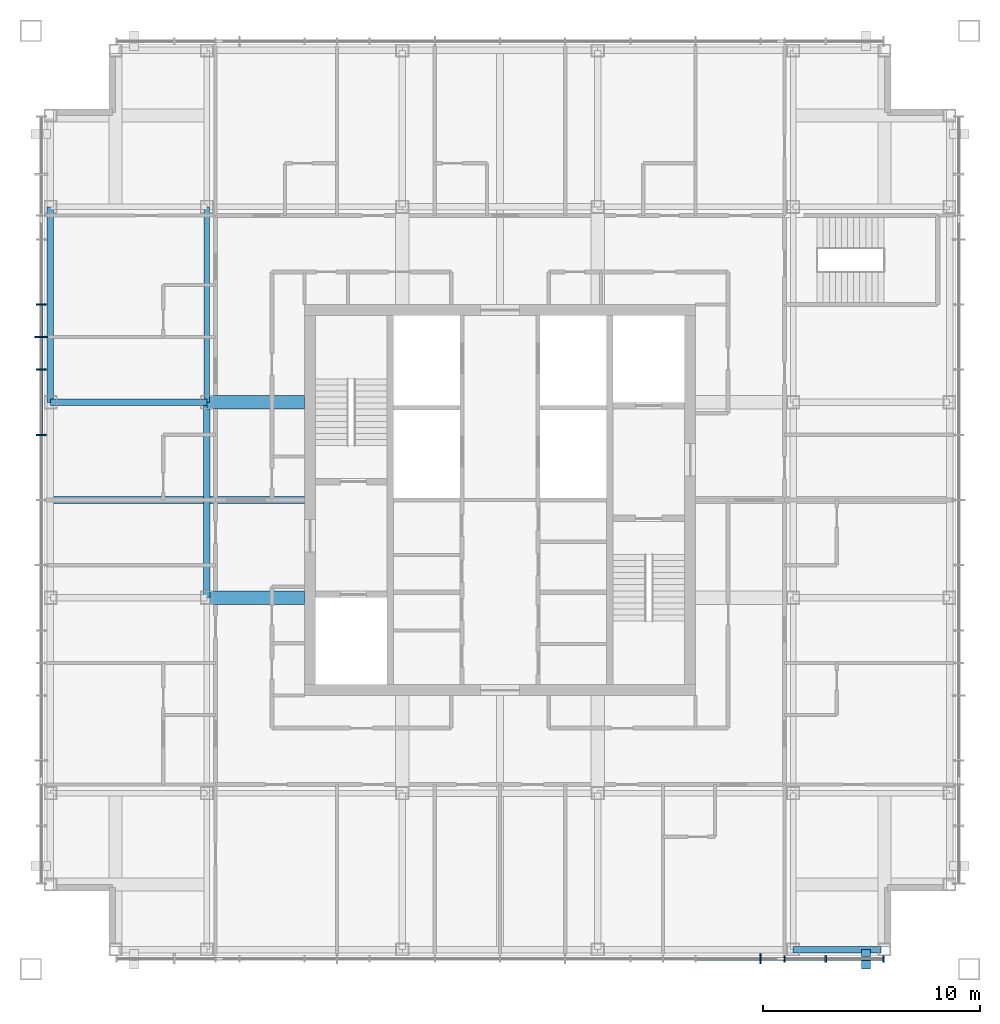
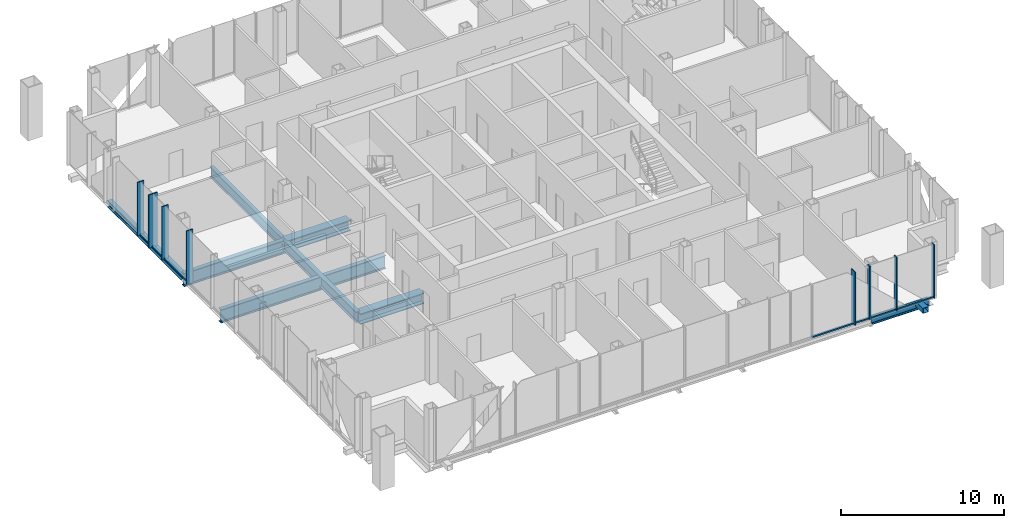
# One storey, part 3 of 16: 16 members, 8 beams, 2 elements without a shape of their own.
"""IFC4 building model written with IfcOpenShell, lengths in metres."""

from ifc_helpers import new_model, si_unit, direction, frame, origin, origin_2d, place, context, subcontext, project, spatial, rectangle, hollow_rectangle, i_section, extrude, material, layer, layer_set, material_profile, profile_set, type_object, element, aggregate, save


model = new_model("IFC4")

# Units and contexts
model_context = context("Model", 3, precision=1e-05, world=origin(), true_north=direction((0.0, 1.0)))
body_context = subcontext(model_context, "Body", "Model", "MODEL_VIEW")
ifc_project = project(units=[si_unit("LENGTHUNIT", "METRE"), si_unit("AREAUNIT", "SQUARE_METRE"), si_unit("VOLUMEUNIT", "CUBIC_METRE"), si_unit("PLANEANGLEUNIT", "RADIAN"), si_unit("MASSUNIT", "GRAM", prefix="KILO")], contexts=[model_context])

# Site, building, storey
site_placement = place(None, origin())
site = spatial("IfcSite", under=ifc_project, at=site_placement, CompositionType="ELEMENT")
building_placement = place(site_placement, origin())
building = spatial("IfcBuilding", under=site, at=building_placement, Name="Malebo Sky Hospital", CompositionType="ELEMENT")
storey_placement = place(building_placement, frame((0.0, 0.0, 254.0)))
storey = spatial("IfcBuildingStorey", under=building, at=storey_placement, Name="L61", CompositionType="ELEMENT", Elevation=254.0)

# Curtain wall, members
ifc_material_1 = material(Name="Anodised aluminium, natural silver", Category="aluminium")
ifc_layer_1 = layer(ifc_material_1, 0.25)
ifc_layer_set_1 = layer_set([ifc_layer_1], Name="WARD CURTAIN WALL EAST AND WEST")
curtain_wall_type_1 = type_object("IfcCurtainWallType", Name="WARD CURTAIN WALL EAST AND WEST", PredefinedType="NOTDEFINED", material=ifc_layer_set_1)
curtain_wall_1_placement = place(storey_placement, origin())
curtain_wall_1 = element("IfcCurtainWall", 1, at=curtain_wall_1_placement, inside=storey, type_object=curtain_wall_type_1, Name="EW curtain wall W", PredefinedType="NOTDEFINED")
ifc_material_profile_1 = material_profile(ifc_material_1, rectangle(XDim=0.14990234375, YDim=0.10009765625, at=origin_2d()), Name="ALUMINIUM TRANSOM 150x100")
ifc_profile_set_1 = profile_set([ifc_material_profile_1], Name="Anodised aluminium, natural silver")
member_type_1 = type_object("IfcMemberType", Name="ALUMINIUM TRANSOM 150x100", PredefinedType="USERDEFINED", material=ifc_profile_set_1)
member_1_placement = place(storey_placement, frame((38.875, 65.03759765625, 0.050048828125), z_axis=(0.0, 1.0, 0.0), x_axis=(-1.0, 0.0, 0.0)))
member_1 = element("IfcMember", 2, at=member_1_placement, type_object=member_type_1, Name="Transom 10", ObjectType="TRANSOM", PredefinedType="USERDEFINED", context=body_context, shape_type="SweptSolid", body=[
    extrude(rectangle(XDim=0.14990234375, YDim=0.10009765625, at=origin_2d()), origin(), (0.0, 0.0, 1.0), 2.9248046875),
])
member_2_placement = place(storey_placement, frame((38.875, 68.03759765625, 0.050048828125), z_axis=(0.0, 1.0, 0.0), x_axis=(-1.0, 0.0, 0.0)))
member_2 = element("IfcMember", 3, at=member_2_placement, type_object=member_type_1, Name="Transom 11", ObjectType="TRANSOM", PredefinedType="USERDEFINED", context=body_context, shape_type="SweptSolid", body=[
    extrude(rectangle(XDim=0.14990234375, YDim=0.10009765625, at=origin_2d()), origin(), (0.0, 0.0, 1.0), 1.4248046875),
])
member_3_placement = place(storey_placement, frame((38.875, 69.53759765625, 0.050048828125), z_axis=(0.0, 1.0, 0.0), x_axis=(-1.0, 0.0, 0.0)))
member_3 = element("IfcMember", 4, at=member_3_placement, type_object=member_type_1, Name="Transom 12", ObjectType="TRANSOM", PredefinedType="USERDEFINED", context=body_context, shape_type="SweptSolid", body=[
    extrude(rectangle(XDim=0.14990234375, YDim=0.10009765625, at=origin_2d()), origin(), (0.0, 0.0, 1.0), 1.4248046875),
])

ifc_layer_2 = layer(ifc_material_1, 0.25)
ifc_layer_set_2 = layer_set([ifc_layer_2], Name="WARD CURTAIN WALL NORTH AND SOUTH")
curtain_wall_type_2 = type_object("IfcCurtainWallType", Name="WARD CURTAIN WALL NORTH AND SOUTH", PredefinedType="NOTDEFINED", material=ifc_layer_set_2)
curtain_wall_2_placement = place(storey_placement, origin())
curtain_wall_2 = element("IfcCurtainWall", 5, at=curtain_wall_2_placement, inside=storey, type_object=curtain_wall_type_2, Name="NS curtain wall S", PredefinedType="NOTDEFINED")
member_4_placement = place(storey_placement, frame((77.625, 40.875, 0.050048828125), z_axis=(-1.0, 0.0, 0.0), x_axis=(0.0, -1.0, 0.0)))
member_4 = element("IfcMember", 6, at=member_4_placement, type_object=member_type_1, Name="Transom 1", ObjectType="TRANSOM", PredefinedType="USERDEFINED", context=body_context, shape_type="SweptSolid", body=[
    extrude(rectangle(XDim=0.14990234375, YDim=0.10009765625, at=origin_2d()), origin(), (0.0, 0.0, 1.0), 2.58740234375),
])
member_5_placement = place(storey_placement, frame((74.96240234375, 40.875, 0.050048828125), z_axis=(-1.0, 0.0, 0.0), x_axis=(0.0, -1.0, 0.0)))
member_5 = element("IfcMember", 7, at=member_5_placement, type_object=member_type_1, Name="Transom 2", ObjectType="TRANSOM", PredefinedType="USERDEFINED", context=body_context, shape_type="SweptSolid", body=[
    extrude(rectangle(XDim=0.14990234375, YDim=0.10009765625, at=origin_2d()), origin(), (0.0, 0.0, 1.0), 1.824951171875),
])
member_6_placement = place(storey_placement, frame((73.0625, 40.875, 0.050048828125), z_axis=(-1.0, 0.0, 0.0), x_axis=(0.0, -1.0, 0.0)))
member_6 = element("IfcMember", 8, at=member_6_placement, type_object=member_type_1, Name="Transom 3", ObjectType="TRANSOM", PredefinedType="USERDEFINED", context=body_context, shape_type="SweptSolid", body=[
    extrude(rectangle(XDim=0.14990234375, YDim=0.10009765625, at=origin_2d()), origin(), (0.0, 0.0, 1.0), 1.02490234375),
])
member_7_placement = place(storey_placement, frame((71.96240234375, 40.875, 0.050048828125), z_axis=(-1.0, 0.0, 0.0), x_axis=(0.0, -1.0, 0.0)))
member_7 = element("IfcMember", 9, at=member_7_placement, type_object=member_type_1, Name="Transom 4", ObjectType="TRANSOM", PredefinedType="USERDEFINED", context=body_context, shape_type="SweptSolid", body=[
    extrude(rectangle(XDim=0.14990234375, YDim=0.10009765625, at=origin_2d()), origin(), (0.0, 0.0, 1.0), 2.9248046875),
])

# Member
ifc_material_2 = material(Name="Steel S355", Category="steel")
ifc_material_profile_2 = material_profile(ifc_material_2, hollow_rectangle(XDim=0.39990234375, YDim=0.39990234375, WallThickness=0.02001953125, at=origin_2d()), Name="SHS 400x20")
ifc_profile_set_2 = profile_set([ifc_material_profile_2], Name="Steel S355")
member_type_2 = type_object("IfcMemberType", Name="BRACE STRUT SHS 400x20", PredefinedType="STRUT", material=ifc_profile_set_2)
member_8_placement = place(storey_placement, frame((76.847412109375, 40.39990234375, -0.39990234375), z_axis=(0.0, 1.0, 0.0), x_axis=(-1.0, 0.0, 0.0)))
element("IfcMember", 10, at=member_8_placement, inside=storey, type_object=member_type_2, Name="Brace strut DS2 L61", PredefinedType="STRUT", context=body_context, shape_type="SweptSolid", body=[
    extrude(hollow_rectangle(XDim=0.39990234375, YDim=0.39990234375, WallThickness=0.02001953125, at=origin_2d()), origin(), (0.0, 0.0, 1.0), 0.900146484375),
])

ifc_material_profile_3 = material_profile(ifc_material_1, rectangle(XDim=0.074951171875, YDim=0.300048828125, at=origin_2d()), Name="CW1 ALUMINIUM FIN MULLION 75x300")
ifc_profile_set_3 = profile_set([ifc_material_profile_3], Name="Anodised aluminium, natural silver")
member_type_3 = type_object("IfcMemberType", Name="CW1 ALUMINIUM FIN MULLION 75x300", PredefinedType="MULLION", material=ifc_profile_set_3)
member_9_placement = place(storey_placement, frame((77.66259765625, 40.875, 0.0), z_axis=(0.0, 0.0, 1.0), x_axis=(-1.0, 0.0, 0.0)))
member_9 = element("IfcMember", 11, at=member_9_placement, type_object=member_type_3, Name="Fin mullion 1", PredefinedType="MULLION", context=body_context, shape_type="SweptSolid", body=[
    extrude(rectangle(XDim=0.074951171875, YDim=0.300048828125, at=origin_2d()), origin(), (0.0, 0.0, 1.0), 4.0),
])

member_10_placement = place(storey_placement, frame((75.0, 40.875, 0.0), z_axis=(0.0, 0.0, 1.0), x_axis=(-1.0, 0.0, 0.0)))
member_10 = element("IfcMember", 12, at=member_10_placement, type_object=member_type_3, Name="Fin mullion 2", PredefinedType="MULLION", context=body_context, shape_type="SweptSolid", body=[
    extrude(rectangle(XDim=0.074951171875, YDim=0.300048828125, at=origin_2d()), origin(), (0.0, 0.0, 1.0), 4.0),
])

member_11_placement = place(storey_placement, frame((73.10009765625, 40.875, 0.0), z_axis=(0.0, 0.0, 1.0), x_axis=(-1.0, 0.0, 0.0)))
member_11 = element("IfcMember", 13, at=member_11_placement, type_object=member_type_3, Name="Fin mullion 3", PredefinedType="MULLION", context=body_context, shape_type="SweptSolid", body=[
    extrude(rectangle(XDim=0.074951171875, YDim=0.300048828125, at=origin_2d()), origin(), (0.0, 0.0, 1.0), 4.0),
])

ifc_material_profile_4 = material_profile(ifc_material_1, rectangle(XDim=0.074951171875, YDim=0.449951171875, at=origin_2d()), Name="CW1 ALUMINIUM FIN MULLION 75x450")
ifc_profile_set_4 = profile_set([ifc_material_profile_4], Name="Anodised aluminium, natural silver")
member_type_4 = type_object("IfcMemberType", Name="CW1 ALUMINIUM FIN MULLION 75x450", PredefinedType="MULLION", material=ifc_profile_set_4)
member_12_placement = place(storey_placement, frame((72.0, 40.875, 0.0), z_axis=(0.0, 0.0, 1.0), x_axis=(-1.0, 0.0, 0.0)))
member_12 = element("IfcMember", 14, at=member_12_placement, type_object=member_type_4, Name="Fin mullion 4", PredefinedType="MULLION", context=body_context, shape_type="SweptSolid", body=[
    extrude(rectangle(XDim=0.074951171875, YDim=0.449951171875, at=origin_2d()), origin(), (0.0, 0.0, 1.0), 4.0),
])

aggregate(curtain_wall_2, [member_9, member_10, member_11, member_12, member_4, member_5, member_6, member_7])

ifc_material_profile_5 = material_profile(ifc_material_1, rectangle(XDim=0.074951171875, YDim=0.449951171875, at=origin_2d()), Name="CW2 ALUMINIUM FIN MULLION 75x450")
ifc_profile_set_5 = profile_set([ifc_material_profile_5], Name="Anodised aluminium, natural silver")
member_type_5 = type_object("IfcMemberType", Name="CW2 ALUMINIUM FIN MULLION 75x450", PredefinedType="MULLION", material=ifc_profile_set_5)
member_13_placement = place(storey_placement, frame((38.875, 65.0, 0.0), z_axis=(0.0, 0.0, 1.0), x_axis=(0.0, 1.0, 0.0)))
member_13 = element("IfcMember", 15, at=member_13_placement, type_object=member_type_5, Name="Fin mullion 10", PredefinedType="MULLION", context=body_context, shape_type="SweptSolid", body=[
    extrude(rectangle(XDim=0.074951171875, YDim=0.449951171875, at=origin_2d()), origin(), (0.0, 0.0, 1.0), 4.0),
])

member_14_placement = place(storey_placement, frame((38.875, 68.0, 0.0), z_axis=(0.0, 0.0, 1.0), x_axis=(0.0, 1.0, 0.0)))
member_14 = element("IfcMember", 16, at=member_14_placement, type_object=member_type_5, Name="Fin mullion 11", PredefinedType="MULLION", context=body_context, shape_type="SweptSolid", body=[
    extrude(rectangle(XDim=0.074951171875, YDim=0.449951171875, at=origin_2d()), origin(), (0.0, 0.0, 1.0), 4.0),
])

member_15_placement = place(storey_placement, frame((38.875, 71.0, 0.0), z_axis=(0.0, 0.0, 1.0), x_axis=(0.0, 1.0, 0.0)))
member_15 = element("IfcMember", 17, at=member_15_placement, type_object=member_type_5, Name="Fin mullion 13", PredefinedType="MULLION", context=body_context, shape_type="SweptSolid", body=[
    extrude(rectangle(XDim=0.074951171875, YDim=0.449951171875, at=origin_2d()), origin(), (0.0, 0.0, 1.0), 4.0),
])

ifc_material_profile_6 = material_profile(ifc_material_1, rectangle(XDim=0.074951171875, YDim=0.60009765625, at=origin_2d()), Name="CW2 ALUMINIUM FIN MULLION 75x600")
ifc_profile_set_6 = profile_set([ifc_material_profile_6], Name="Anodised aluminium, natural silver")
member_type_6 = type_object("IfcMemberType", Name="CW2 ALUMINIUM FIN MULLION 75x600", PredefinedType="MULLION", material=ifc_profile_set_6)
member_16_placement = place(storey_placement, frame((38.875, 69.5, 0.0), z_axis=(0.0, 0.0, 1.0), x_axis=(0.0, 1.0, 0.0)))
member_16 = element("IfcMember", 18, at=member_16_placement, type_object=member_type_6, Name="Fin mullion 12", PredefinedType="MULLION", context=body_context, shape_type="SweptSolid", body=[
    extrude(rectangle(XDim=0.074951171875, YDim=0.60009765625, at=origin_2d()), origin(), (0.0, 0.0, 1.0), 4.0),
])

aggregate(curtain_wall_1, [member_13, member_14, member_16, member_15, member_1, member_2, member_3])

# Beams
ifc_material_profile_7 = material_profile(ifc_material_2, i_section(OverallWidth=0.305908203125, OverallDepth=0.52392578125, WebThickness=0.02099609375, FlangeThickness=0.0400390625, FilletRadius=0.027099609375, at=origin_2d()), Name="HEM 500")
ifc_profile_set_7 = profile_set([ifc_material_profile_7], Name="Steel S355")
beam_type_1 = type_object("IfcBeamType", Name="EDGE BEAM HEM 500", PredefinedType="BEAM", material=ifc_profile_set_7)
beam_1_placement = place(storey_placement, frame((39.300048828125, 66.5, -0.511962890625), z_axis=(0.0, 1.0, 0.0), x_axis=(-1.0, 0.0, 0.0)))
element("IfcBeam", 19, at=beam_1_placement, inside=storey, type_object=beam_type_1, Name="Beam 003 L61", PredefinedType="BEAM", context=body_context, shape_type="SweptSolid", body=[
    extrude(i_section(OverallWidth=0.305908203125, OverallDepth=0.52392578125, WebThickness=0.02099609375, FlangeThickness=0.0400390625, FilletRadius=0.027099609375, at=origin_2d()), origin(), (0.0, 0.0, 1.0), 9.0),
])
beam_2_placement = place(storey_placement, frame((73.5, 41.300048828125, -0.511962890625), z_axis=(1.0, 0.0, 0.0), x_axis=(0.0, 1.0, 0.0)))
element("IfcBeam", 20, at=beam_2_placement, inside=storey, type_object=beam_type_1, Name="Beam 038 L61", PredefinedType="BEAM", context=body_context, shape_type="SweptSolid", body=[
    extrude(i_section(OverallWidth=0.305908203125, OverallDepth=0.52392578125, WebThickness=0.02099609375, FlangeThickness=0.0400390625, FilletRadius=0.027099609375, at=origin_2d()), origin(), (0.0, 0.0, 1.0), 4.050048828125),
])
ifc_material_profile_8 = material_profile(ifc_material_2, i_section(OverallWidth=0.300048828125, OverallDepth=1.0, WebThickness=0.01904296875, FlangeThickness=0.035888671875, FilletRadius=0.030029296875, at=origin_2d()), Name="HEB 1000")
ifc_profile_set_8 = profile_set([ifc_material_profile_8], Name="Steel S355")
beam_type_2 = type_object("IfcBeamType", Name="FLOOR BEAM HEB 1000", PredefinedType="BEAM", material=ifc_profile_set_8)
beam_3_placement = place(storey_placement, frame((39.300048828125, 62.0, -0.75), z_axis=(1.0, 0.0, 0.0), x_axis=(0.0, 1.0, 0.0)))
element("IfcBeam", 21, at=beam_3_placement, inside=storey, type_object=beam_type_2, Name="Beam 050 L61", PredefinedType="BEAM", context=body_context, shape_type="SweptSolid", body=[
    extrude(i_section(OverallWidth=0.300048828125, OverallDepth=1.0, WebThickness=0.01904296875, FlangeThickness=0.035888671875, FilletRadius=0.030029296875, at=origin_2d()), origin(), (0.0, 0.0, 1.0), 11.699951171875),
])
beam_4_placement = place(storey_placement, frame((39.300048828125, 66.5, -0.75), z_axis=(1.0, 0.0, 0.0), x_axis=(0.0, 1.0, 0.0)))
element("IfcBeam", 22, at=beam_4_placement, inside=storey, type_object=beam_type_2, Name="Beam 052 L61", PredefinedType="BEAM", context=body_context, shape_type="SweptSolid", body=[
    extrude(i_section(OverallWidth=0.300048828125, OverallDepth=1.0, WebThickness=0.01904296875, FlangeThickness=0.035888671875, FilletRadius=0.030029296875, at=origin_2d()), origin(), (0.0, 0.0, 1.0), 7.199951171875),
])
ifc_material_profile_9 = material_profile(ifc_material_2, i_section(OverallWidth=0.26708984375, OverallDepth=0.761962890625, WebThickness=0.014404296875, FlangeThickness=0.021484375, FilletRadius=0.01708984375, at=origin_2d()), Name="IPE 750x173")
ifc_profile_set_9 = profile_set([ifc_material_profile_9], Name="Steel S355")
beam_type_3 = type_object("IfcBeamType", Name="FLOOR BEAM IPE 750x173", PredefinedType="BEAM", material=ifc_profile_set_9)
beam_5_placement = place(storey_placement, frame((46.5, 66.5, -0.631103515625), z_axis=(0.0, 1.0, 0.0), x_axis=(-1.0, 0.0, 0.0)))
element("IfcBeam", 23, at=beam_5_placement, inside=storey, type_object=beam_type_3, Name="Beam 010 L61", PredefinedType="BEAM", context=body_context, shape_type="SweptSolid", body=[
    extrude(i_section(OverallWidth=0.26708984375, OverallDepth=0.761962890625, WebThickness=0.014404296875, FlangeThickness=0.021484375, FilletRadius=0.01708984375, at=origin_2d()), origin(), (0.0, 0.0, 1.0), 9.0),
])
ifc_material_profile_10 = material_profile(ifc_material_2, i_section(OverallWidth=0.60009765625, OverallDepth=0.800048828125, WebThickness=0.0400390625, FlangeThickness=0.06005859375, at=origin_2d()), Name="PG 800x600x40x60")
ifc_profile_set_10 = profile_set([ifc_material_profile_10], Name="Steel S355")
beam_type_4 = type_object("IfcBeamType", Name="FLOOR BEAM PG 800x600x40x60", PredefinedType="BEAM", material=ifc_profile_set_10)
for number, where, z_axis, x_axis, name in (
    (24, (46.5, 57.5, -0.64990234375), (1.0, 0.0, 0.0), (0.0, 1.0, 0.0), "Beam 047 L61"),
    (25, (46.5, 66.5, -0.64990234375), (1.0, 0.0, 0.0), (0.0, 1.0, 0.0), "Beam 053 L61"),
):
    element("IfcBeam", number, at=place(storey_placement, frame(where, z_axis=z_axis, x_axis=x_axis)), inside=storey, type_object=beam_type_4, Name=name, PredefinedType="BEAM", context=body_context, shape_type="SweptSolid", body=[
        extrude(i_section(OverallWidth=0.60009765625, OverallDepth=0.800048828125, WebThickness=0.0400390625, FlangeThickness=0.06005859375, at=origin_2d()), origin(), (0.0, 0.0, 1.0), 4.5),
    ])
ifc_material_profile_11 = material_profile(ifc_material_2, i_section(OverallWidth=0.300048828125, OverallDepth=0.800048828125, WebThickness=0.017578125, FlangeThickness=0.032958984375, FilletRadius=0.030029296875, at=origin_2d()), Name="HEB 800")
ifc_profile_set_11 = profile_set([ifc_material_profile_11], Name="Steel S355")
beam_type_5 = type_object("IfcBeamType", Name="RING GIRDER HEB 800", PredefinedType="BEAM", material=ifc_profile_set_11)
beam_6_placement = place(storey_placement, frame((46.5, 57.5, -0.64990234375), z_axis=(0.0, 1.0, 0.0), x_axis=(-1.0, 0.0, 0.0)))
element("IfcBeam", 26, at=beam_6_placement, inside=storey, type_object=beam_type_5, Name="Beam 009 L61", PredefinedType="BEAM", context=body_context, shape_type="SweptSolid", body=[
    extrude(i_section(OverallWidth=0.300048828125, OverallDepth=0.800048828125, WebThickness=0.017578125, FlangeThickness=0.032958984375, FilletRadius=0.030029296875, at=origin_2d()), origin(), (0.0, 0.0, 1.0), 9.0),
])

save(model, "model.ifc")
